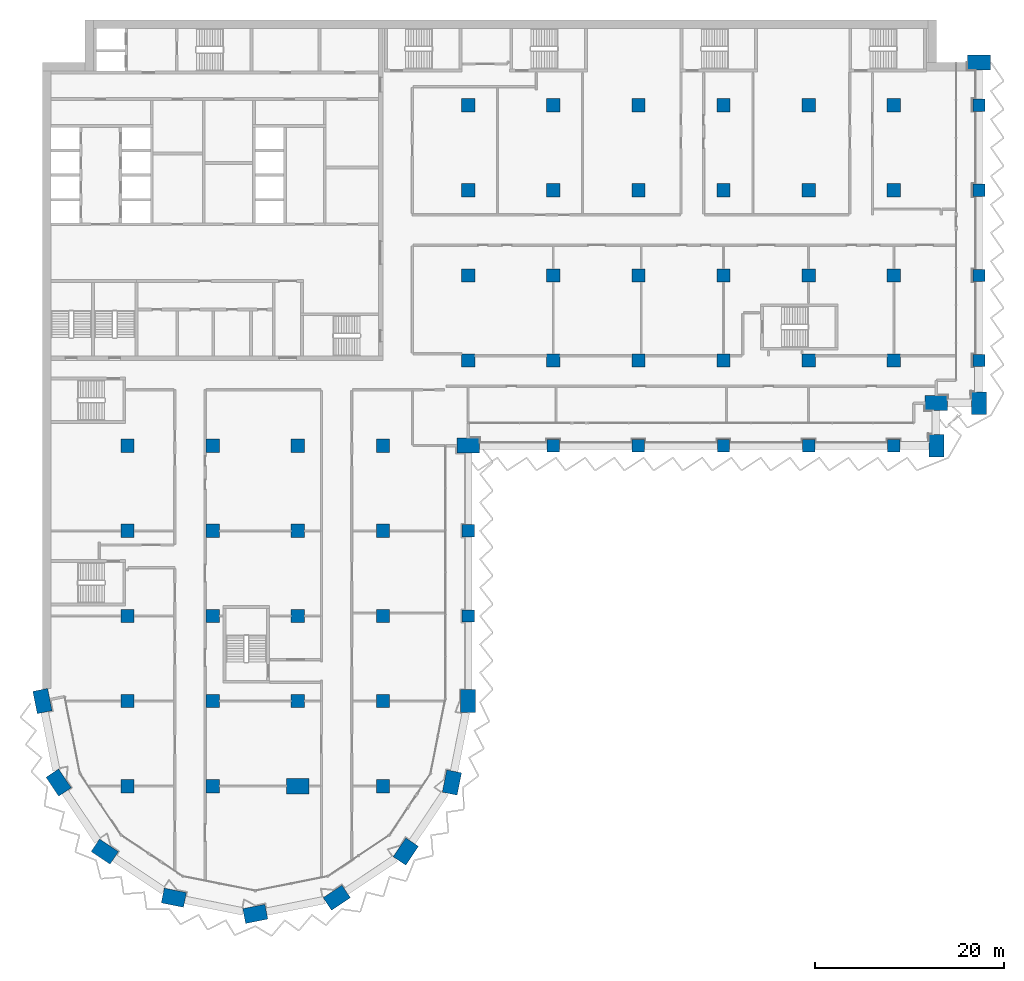
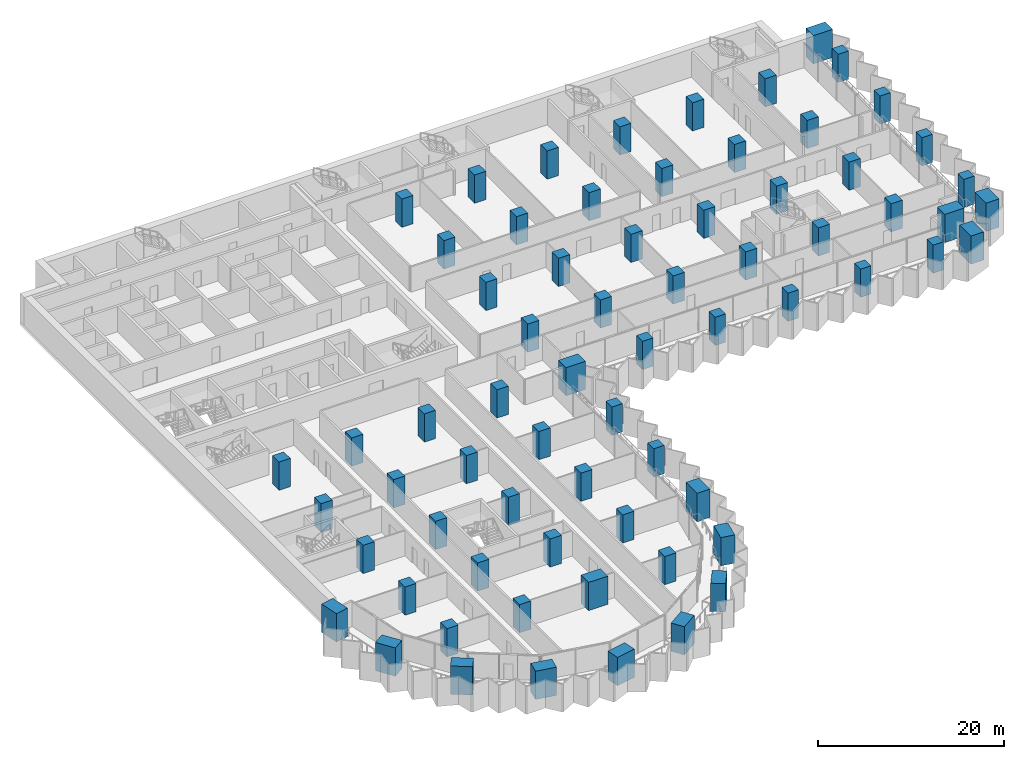
# One storey, part 1 of 29: 69 columns.
"""IFC4 building model written with IfcOpenShell, lengths in metres."""

import ifcopenshell
import ifcopenshell.guid

model = None  # the IFC model being written
_history = None  # IfcOwnerHistory: only IFC2X3 demands one
_inside = {}  # id of a spatial element -> (the spatial element, [elements in it])
_under = {}  # id of a project, library or spatial element -> (it, [spatial elements below it])
_declared = {}  # id of a project -> (the project, [libraries it declares])
_typed = {}  # id of a type object -> (the type object, [elements of that type])
_made_of = {}  # id of a material, layer set ... -> (it, [elements and type objects made of it])


def new_model(schema):
    """Start an empty IFC model of exactly this schema.

    Asked for "IFC4X3", IfcOpenShell would pick the latest addendum, in which some entities
    have other attributes; the version numbers below select the first issue.
    IFC2X3 requires an IfcOwnerHistory on every rooted entity: one is made here for all.
    """
    global model, _history
    if schema == "IFC4X3":
        model = ifcopenshell.file(schema_version=(4, 3, 0, 0))
    else:
        model = ifcopenshell.file(schema=schema)
    _inside.clear()
    _under.clear()
    _declared.clear()
    _typed.clear()
    _made_of.clear()
    _history = None
    if model.schema == "IFC2X3":
        org = make("IfcOrganization", Name="unknown")
        user = make(
            "IfcPersonAndOrganization",
            ThePerson=make("IfcPerson", FamilyName="unknown"),
            TheOrganization=org,
        )
        app = make(
            "IfcApplication",
            ApplicationDeveloper=org,
            Version="unknown",
            ApplicationFullName="unknown",
            ApplicationIdentifier="unknown",
        )
        _history = make(
            "IfcOwnerHistory",
            OwningUser=user,
            OwningApplication=app,
            ChangeAction="ADDED",
            CreationDate=0,
        )
    return model


def make(cls, **values):
    """One entity of the class cls with the attributes given. An attribute that is None is left unset."""
    return model.create_entity(
        cls, **{name: value for name, value in values.items() if value is not None}
    )


def rooted(cls, **values):
    """An entity with a GlobalId (a new one), such as an element, a storey or a relation."""
    return make(cls, GlobalId=ifcopenshell.guid.new(), OwnerHistory=_history, **values)


def si_unit(unit_type, name, prefix=None):
    """IfcSIUnit, for example si_unit("LENGTHUNIT", "METRE", prefix="MILLI")."""
    return make("IfcSIUnit", UnitType=unit_type, Prefix=prefix, Name=name)


def assignment(units):
    """IfcUnitAssignment: the units of a project."""
    return None if units is None else make("IfcUnitAssignment", Units=units)


def point(xyz):
    """IfcCartesianPoint."""
    return None if xyz is None else make("IfcCartesianPoint", Coordinates=xyz)


def direction(xyz):
    """IfcDirection."""
    return None if xyz is None else make("IfcDirection", DirectionRatios=xyz)


def frame(location, z_axis=None, x_axis=None):
    """IfcAxis2Placement3D, a coordinate frame: its origin and axes. An axis left out is left unset."""
    return make(
        "IfcAxis2Placement3D",
        Location=point(location),
        Axis=direction(z_axis),
        RefDirection=direction(x_axis),
    )


def frame_2d(location, x_axis=None):
    """IfcAxis2Placement2D, a coordinate frame in the plane: its origin and x axis."""
    return make(
        "IfcAxis2Placement2D", Location=point(location), RefDirection=direction(x_axis)
    )


def origin():
    """The frame at (0, 0, 0) with its axes left unset."""
    return frame((0.0, 0.0, 0.0))


def origin_2d():
    """The frame at (0, 0) in the plane with its x axis left unset."""
    return frame_2d((0.0, 0.0))


def place(relative_to, where):
    """IfcLocalPlacement: puts the frame where relative to a parent placement (None: the world)."""
    return make(
        "IfcLocalPlacement", PlacementRelTo=relative_to, RelativePlacement=where
    )


def context(
    kind, dimensions, precision=None, world=None, true_north=None, identifier=None
):
    """IfcGeometricRepresentationContext, for example the 3D "Model" context."""
    return make(
        "IfcGeometricRepresentationContext",
        ContextIdentifier=identifier,
        ContextType=kind,
        CoordinateSpaceDimension=dimensions,
        Precision=precision,
        WorldCoordinateSystem=world,
        TrueNorth=true_north,
    )


def subcontext(parent, identifier, kind, view, scale=None):
    """IfcGeometricRepresentationSubContext, for example "Body" below "Model"."""
    return make(
        "IfcGeometricRepresentationSubContext",
        ContextIdentifier=identifier,
        ContextType=kind,
        ParentContext=parent,
        TargetScale=scale,
        TargetView=view,
    )


def project(units=None, contexts=None):
    """IfcProject with its units and contexts."""
    return rooted(
        "IfcProject",
        Name="project",
        RepresentationContexts=contexts,
        UnitsInContext=assignment(units),
    )


def spatial(cls, under=None, at=None, **own):
    """A site, building, storey or space (cls), placed at a placement, below another one or the project."""
    s = rooted(cls, ObjectPlacement=at, **own)
    if under is not None:
        _under.setdefault(under.id(), (under, []))[1].append(s)
    return s


def profile(cls, at=None, kind="AREA", **sizes):
    """A parametric profile (cls). Its sizes go by their IFC names, for example OverallWidth=200.0."""
    return make(cls, ProfileType=kind, Position=at, **sizes)


def rectangle(**sizes):
    """IfcRectangleProfileDef."""
    return profile("IfcRectangleProfileDef", **sizes)


def extrude(swept, where, along, depth):
    """IfcExtrudedAreaSolid: the profile swept, set in the frame where, extruded along a direction by depth."""
    return make(
        "IfcExtrudedAreaSolid",
        SweptArea=swept,
        Position=where,
        ExtrudedDirection=direction(along),
        Depth=depth,
    )


def shape(context_of_items, identifier, shape_type, items):
    """IfcShapeRepresentation: the items that make up one representation, for example the "Body"."""
    return make(
        "IfcShapeRepresentation",
        ContextOfItems=context_of_items,
        RepresentationIdentifier=identifier,
        RepresentationType=shape_type,
        Items=items,
    )


def material(Name=None, Category=None):
    """IfcMaterial."""
    return make("IfcMaterial", Name=Name, Category=Category)


def material_profile(
    of_material, cross_section, Name=None, Category=None, Priority=None
):
    """IfcMaterialProfile: a cross section and its material."""
    return make(
        "IfcMaterialProfile",
        Name=Name,
        Material=of_material,
        Profile=cross_section,
        Priority=Priority,
        Category=Category,
    )


def profile_set(profiles, Name=None, composite=None):
    """IfcMaterialProfileSet."""
    return make(
        "IfcMaterialProfileSet",
        Name=Name,
        MaterialProfiles=profiles,
        CompositeProfile=composite,
    )


def made_of(thing, what):
    """Note that an element or type object is made of a material, layer set ...; save() writes the relation."""
    if what is not None:
        _made_of.setdefault(what.id(), (what, []))[1].append(thing)
    return thing


def type_object(cls, material=None, **own):
    """A type object (cls), such as IfcWallType, which elements share."""
    return made_of(rooted(cls, **own), material)


def element(
    cls,
    number,
    at=None,
    inside=None,
    cuts=None,
    type_object=None,
    material=None,
    context=None,
    identifier="Body",
    shape_type=None,
    held_by="IfcProductDefinitionShape",
    body=None,
    shapes=None,
    **own,
):
    """One element of the class cls, such as IfcWall. Its Tag is "e" and its number.

    at: its placement. inside: the storey or other place that contains it. cuts: it is an
    opening in that element (IfcRelVoidsElement). A single representation is given by context,
    identifier, shape_type and body (its items); several are given by shapes. held_by: the class
    of the entity that holds the representations. save() writes the other relations.
    """
    e = rooted(cls, Tag="e%d" % number, ObjectPlacement=at, **own)
    if body is not None:
        shapes = [shape(context, identifier, shape_type, body)]
    if shapes is not None:
        e.Representation = make(held_by, Representations=shapes)
    if inside is not None:
        _inside.setdefault(inside.id(), (inside, []))[1].append(e)
    if cuts is not None:
        rooted(
            "IfcRelVoidsElement", RelatingBuildingElement=cuts, RelatedOpeningElement=e
        )
    if type_object is not None:
        _typed.setdefault(type_object.id(), (type_object, []))[1].append(e)
    return made_of(e, material)


def aggregate(whole, parts):
    """IfcRelAggregates: a whole, such as a stair, and the parts it consists of."""
    return rooted("IfcRelAggregates", RelatingObject=whole, RelatedObjects=parts)


def save(model, path):
    """Write the relations noted so far, then the file.

    IfcRelAggregates (storeys below a building ...), IfcRelContainedInSpatialStructure (elements
    in a storey), IfcRelDefinesByType, IfcRelAssociatesMaterial and IfcRelDeclares: one each for
    every whole, place, type object, material and project.
    """
    for whole, parts in _under.values():
        aggregate(whole, parts)
    for where, things in _inside.values():
        rooted(
            "IfcRelContainedInSpatialStructure",
            RelatedElements=things,
            RelatingStructure=where,
        )
    for kind, things in _typed.values():
        rooted("IfcRelDefinesByType", RelatedObjects=things, RelatingType=kind)
    for what, things in _made_of.values():
        rooted("IfcRelAssociatesMaterial", RelatedObjects=things, RelatingMaterial=what)
    for by, libraries in _declared.values():
        rooted("IfcRelDeclares", RelatingContext=by, RelatedDefinitions=libraries)
    model.write(path)


model = new_model("IFC4")

# Units and contexts
model_context = context("Model", 3, precision=1e-05, world=origin(), true_north=direction((0.0, 1.0)))
body_context = subcontext(model_context, "Body", "Model", "MODEL_VIEW")
ifc_project = project(units=[si_unit("LENGTHUNIT", "METRE"), si_unit("AREAUNIT", "SQUARE_METRE"), si_unit("VOLUMEUNIT", "CUBIC_METRE"), si_unit("PLANEANGLEUNIT", "RADIAN"), si_unit("MASSUNIT", "GRAM", prefix="KILO")], contexts=[model_context])

# Site, building, storey
site_placement = place(None, origin())
site = spatial("IfcSite", under=ifc_project, at=site_placement, CompositionType="ELEMENT")
building_placement = place(site_placement, origin())
building = spatial("IfcBuilding", under=site, at=building_placement, Name="Hunhe Ridgeline Campus", CompositionType="ELEMENT")
storey_placement = place(building_placement, frame((0.0, 0.0, 65.39990234375)))
storey = spatial("IfcBuildingStorey", under=building, at=storey_placement, Name="L15", CompositionType="ELEMENT", Elevation=65.39990234375)

# Columns
ifc_material = material(Name="Concrete C80", Category="concrete")
ifc_material_profile_1 = material_profile(ifc_material, rectangle(XDim=2.39990234375, YDim=1.60009765625, at=origin_2d()))
ifc_profile_set_1 = profile_set([ifc_material_profile_1], Name="Concrete C80")
column_type_1 = type_object("IfcColumnType", Name="Megacolumn 2400x1600 Concrete C80", PredefinedType="COLUMN", material=ifc_profile_set_1)
for number, where, z_axis, x_axis, name in (
    (1, (22.5, 4.5, 0.0), (0.0, 0.0, 1.0), (0.980785280403, 0.195090322016, 0.0), "Column C3 R1 L15"),
    (2, (13.8896484375, 6.212646484375, 0.0), (0.0, 0.0, 1.0), (-0.980785280403, 0.195090322016, 0.0), "Column C3 R2 L15"),
    (3, (31.1103515625, 6.212646484375, 0.0), (0.0, 0.0, 1.0), (0.831469612303, 0.55557023302, 0.0), "Column C3 R3 L15"),
    (4, (6.590087890625, 11.090087890625, 0.0), (0.0, 0.0, 1.0), (-0.831469612303, 0.55557023302, 0.0), "Column C3 R4 L15"),
    (5, (38.409912109375, 11.090087890625, 0.0), (0.0, 0.0, 1.0), (0.55557023302, 0.831469612303, 0.0), "Column C3 R5 L15"),
    (6, (1.712646484375, 18.3896484375, 0.0), (0.0, 0.0, 1.0), (-0.55557023302, 0.831469612303, 0.0), "Column C3 R9 L15"),
    (7, (43.287353515625, 18.3896484375, 0.0), (0.0, 0.0, 1.0), (0.195090322016, 0.980785280403, 0.0), "Column C3 R10 L15"),
    (8, (0.0, 27.0, 0.0), (0.0, 0.0, 1.0), (-0.195090322016, 0.980785280403, 0.0), "Column C3 D1 L15"),
    (9, (45.0, 27.0, 0.0), (0.0, 0.0, 1.0), (0.0, 1.0, 0.0), "Column C3 D6 L15"),
    (10, (45.0, 54.0, 0.0), (0.0, 0.0, 1.0), (1.0, 0.0, 0.0), "Column C3 G6 L15"),
    (11, (94.5, 54.0, 0.0), (0.0, 0.0, 1.0), (0.0, 1.0, 0.0), "Column C3 R32 L15"),
    (12, (94.5, 58.5, 0.0), (0.0, 0.0, 1.0), (1.0, 0.0, 0.0), "Column C3 R39 L15"),
    (13, (99.0, 58.5, 0.0), (0.0, 0.0, 1.0), (0.0, 1.0, 0.0), "Column C3 R40 L15"),
    (14, (99.0, 94.5, 0.0), (0.0, 0.0, 1.0), (1.0, 0.0, 0.0), "Column C3 R44 L15"),
    (15, (27.0, 18.0, 0.0), (0.0, 0.0, 1.0), (1.0, 0.0, 0.0), "Column C3 C4 L15"),
):
    element("IfcColumn", number, at=place(storey_placement, frame(where, z_axis=z_axis, x_axis=x_axis)), inside=storey, type_object=column_type_1, Name=name, PredefinedType="COLUMN", context=body_context, shape_type="SweptSolid", body=[
        extrude(rectangle(XDim=2.39990234375, YDim=1.60009765625, at=origin_2d()), origin(), (0.0, 0.0, 1.0), 3.7001953125),
    ])
ifc_material_profile_2 = material_profile(ifc_material, rectangle(XDim=1.300048828125, YDim=1.300048828125, at=origin_2d()))
ifc_profile_set_2 = profile_set([ifc_material_profile_2], Name="Concrete C80")
column_type_2 = type_object("IfcColumnType", Name="RC column 1300x1300 Concrete C80", PredefinedType="COLUMN", material=ifc_profile_set_2)
for number, where, z_axis, x_axis, name in (
    (16, (45.0, 36.0, 0.0), (0.0, 0.0, 1.0), (1.0, 0.0, 0.0), "Column C4 E6 L15"),
    (17, (45.0, 45.0, 0.0), (0.0, 0.0, 1.0), (1.0, 0.0, 0.0), "Column C4 F6 L15"),
    (18, (54.0, 54.0, 0.0), (0.0, 0.0, 1.0), (1.0, 0.0, 0.0), "Column C4 G7 L15"),
    (19, (63.0, 54.0, 0.0), (0.0, 0.0, 1.0), (1.0, 0.0, 0.0), "Column C4 G8 L15"),
    (20, (72.0, 54.0, 0.0), (0.0, 0.0, 1.0), (1.0, 0.0, 0.0), "Column C4 G9 L15"),
    (21, (81.0, 54.0, 0.0), (0.0, 0.0, 1.0), (1.0, 0.0, 0.0), "Column C4 G10 L15"),
    (22, (90.0, 54.0, 0.0), (0.0, 0.0, 1.0), (1.0, 0.0, 0.0), "Column C4 G11 L15"),
    (23, (99.0, 63.0, 0.0), (0.0, 0.0, 1.0), (1.0, 0.0, 0.0), "Column C4 H12 L15"),
    (24, (99.0, 72.0, 0.0), (0.0, 0.0, 1.0), (1.0, 0.0, 0.0), "Column C4 I12 L15"),
    (25, (99.0, 81.0, 0.0), (0.0, 0.0, 1.0), (1.0, 0.0, 0.0), "Column C4 J12 L15"),
    (26, (99.0, 90.0, 0.0), (0.0, 0.0, 1.0), (1.0, 0.0, 0.0), "Column C4 K12 L15"),
):
    element("IfcColumn", number, at=place(storey_placement, frame(where, z_axis=z_axis, x_axis=x_axis)), inside=storey, type_object=column_type_2, Name=name, PredefinedType="COLUMN", context=body_context, shape_type="SweptSolid", body=[
        extrude(rectangle(XDim=1.300048828125, YDim=1.300048828125, at=origin_2d()), origin(), (0.0, 0.0, 1.0), 3.7001953125),
    ])
ifc_material_profile_3 = material_profile(ifc_material, rectangle(XDim=1.39990234375, YDim=1.39990234375, at=origin_2d()))
ifc_profile_set_3 = profile_set([ifc_material_profile_3], Name="Concrete C80")
column_type_3 = type_object("IfcColumnType", Name="RC column 1400x1400 Concrete C80", PredefinedType="COLUMN", material=ifc_profile_set_3)
for number, where, z_axis, x_axis, name in (
    (27, (9.0, 18.0, 0.0), (0.0, 0.0, 1.0), (1.0, 0.0, 0.0), "Column C5 C2 L15"),
    (28, (9.0, 27.0, 0.0), (0.0, 0.0, 1.0), (1.0, 0.0, 0.0), "Column C5 D2 L15"),
    (29, (9.0, 36.0, 0.0), (0.0, 0.0, 1.0), (1.0, 0.0, 0.0), "Column C5 E2 L15"),
    (30, (9.0, 45.0, 0.0), (0.0, 0.0, 1.0), (1.0, 0.0, 0.0), "Column C5 F2 L15"),
    (31, (9.0, 54.0, 0.0), (0.0, 0.0, 1.0), (1.0, 0.0, 0.0), "Column C5 G2 L15"),
    (32, (18.0, 18.0, 0.0), (0.0, 0.0, 1.0), (1.0, 0.0, 0.0), "Column C5 C3 L15"),
    (33, (18.0, 27.0, 0.0), (0.0, 0.0, 1.0), (1.0, 0.0, 0.0), "Column C5 D3 L15"),
    (34, (18.0, 36.0, 0.0), (0.0, 0.0, 1.0), (1.0, 0.0, 0.0), "Column C5 E3 L15"),
    (35, (18.0, 45.0, 0.0), (0.0, 0.0, 1.0), (1.0, 0.0, 0.0), "Column C5 F3 L15"),
    (36, (18.0, 54.0, 0.0), (0.0, 0.0, 1.0), (1.0, 0.0, 0.0), "Column C5 G3 L15"),
    (37, (27.0, 27.0, 0.0), (0.0, 0.0, 1.0), (1.0, 0.0, 0.0), "Column C5 D4 L15"),
    (38, (27.0, 36.0, 0.0), (0.0, 0.0, 1.0), (1.0, 0.0, 0.0), "Column C5 E4 L15"),
    (39, (27.0, 45.0, 0.0), (0.0, 0.0, 1.0), (1.0, 0.0, 0.0), "Column C5 F4 L15"),
    (40, (27.0, 54.0, 0.0), (0.0, 0.0, 1.0), (1.0, 0.0, 0.0), "Column C5 G4 L15"),
    (41, (36.0, 18.0, 0.0), (0.0, 0.0, 1.0), (1.0, 0.0, 0.0), "Column C5 C5 L15"),
    (42, (36.0, 27.0, 0.0), (0.0, 0.0, 1.0), (1.0, 0.0, 0.0), "Column C5 D5 L15"),
    (43, (36.0, 36.0, 0.0), (0.0, 0.0, 1.0), (1.0, 0.0, 0.0), "Column C5 E5 L15"),
    (44, (36.0, 45.0, 0.0), (0.0, 0.0, 1.0), (1.0, 0.0, 0.0), "Column C5 F5 L15"),
    (45, (36.0, 54.0, 0.0), (0.0, 0.0, 1.0), (1.0, 0.0, 0.0), "Column C5 G5 L15"),
    (46, (45.0, 63.0, 0.0), (0.0, 0.0, 1.0), (1.0, 0.0, 0.0), "Column C5 H6 L15"),
    (47, (45.0, 72.0, 0.0), (0.0, 0.0, 1.0), (1.0, 0.0, 0.0), "Column C5 I6 L15"),
    (48, (45.0, 81.0, 0.0), (0.0, 0.0, 1.0), (1.0, 0.0, 0.0), "Column C5 J6 L15"),
    (49, (45.0, 90.0, 0.0), (0.0, 0.0, 1.0), (1.0, 0.0, 0.0), "Column C5 K6 L15"),
    (50, (54.0, 63.0, 0.0), (0.0, 0.0, 1.0), (1.0, 0.0, 0.0), "Column C5 H7 L15"),
    (51, (54.0, 72.0, 0.0), (0.0, 0.0, 1.0), (1.0, 0.0, 0.0), "Column C5 I7 L15"),
    (52, (54.0, 81.0, 0.0), (0.0, 0.0, 1.0), (1.0, 0.0, 0.0), "Column C5 J7 L15"),
    (53, (54.0, 90.0, 0.0), (0.0, 0.0, 1.0), (1.0, 0.0, 0.0), "Column C5 K7 L15"),
    (54, (63.0, 63.0, 0.0), (0.0, 0.0, 1.0), (1.0, 0.0, 0.0), "Column C5 H8 L15"),
    (55, (63.0, 72.0, 0.0), (0.0, 0.0, 1.0), (1.0, 0.0, 0.0), "Column C5 I8 L15"),
    (56, (63.0, 81.0, 0.0), (0.0, 0.0, 1.0), (1.0, 0.0, 0.0), "Column C5 J8 L15"),
    (57, (63.0, 90.0, 0.0), (0.0, 0.0, 1.0), (1.0, 0.0, 0.0), "Column C5 K8 L15"),
    (58, (72.0, 63.0, 0.0), (0.0, 0.0, 1.0), (1.0, 0.0, 0.0), "Column C5 H9 L15"),
    (59, (72.0, 72.0, 0.0), (0.0, 0.0, 1.0), (1.0, 0.0, 0.0), "Column C5 I9 L15"),
    (60, (72.0, 81.0, 0.0), (0.0, 0.0, 1.0), (1.0, 0.0, 0.0), "Column C5 J9 L15"),
    (61, (72.0, 90.0, 0.0), (0.0, 0.0, 1.0), (1.0, 0.0, 0.0), "Column C5 K9 L15"),
    (62, (81.0, 63.0, 0.0), (0.0, 0.0, 1.0), (1.0, 0.0, 0.0), "Column C5 H10 L15"),
    (63, (81.0, 72.0, 0.0), (0.0, 0.0, 1.0), (1.0, 0.0, 0.0), "Column C5 I10 L15"),
    (64, (81.0, 81.0, 0.0), (0.0, 0.0, 1.0), (1.0, 0.0, 0.0), "Column C5 J10 L15"),
    (65, (81.0, 90.0, 0.0), (0.0, 0.0, 1.0), (1.0, 0.0, 0.0), "Column C5 K10 L15"),
    (66, (90.0, 63.0, 0.0), (0.0, 0.0, 1.0), (1.0, 0.0, 0.0), "Column C5 H11 L15"),
    (67, (90.0, 72.0, 0.0), (0.0, 0.0, 1.0), (1.0, 0.0, 0.0), "Column C5 I11 L15"),
    (68, (90.0, 81.0, 0.0), (0.0, 0.0, 1.0), (1.0, 0.0, 0.0), "Column C5 J11 L15"),
    (69, (90.0, 90.0, 0.0), (0.0, 0.0, 1.0), (1.0, 0.0, 0.0), "Column C5 K11 L15"),
):
    element("IfcColumn", number, at=place(storey_placement, frame(where, z_axis=z_axis, x_axis=x_axis)), inside=storey, type_object=column_type_3, Name=name, PredefinedType="COLUMN", context=body_context, shape_type="SweptSolid", body=[
        extrude(rectangle(XDim=1.39990234375, YDim=1.39990234375, at=origin_2d()), origin(), (0.0, 0.0, 1.0), 3.7001953125),
    ])

save(model, "model.ifc")
